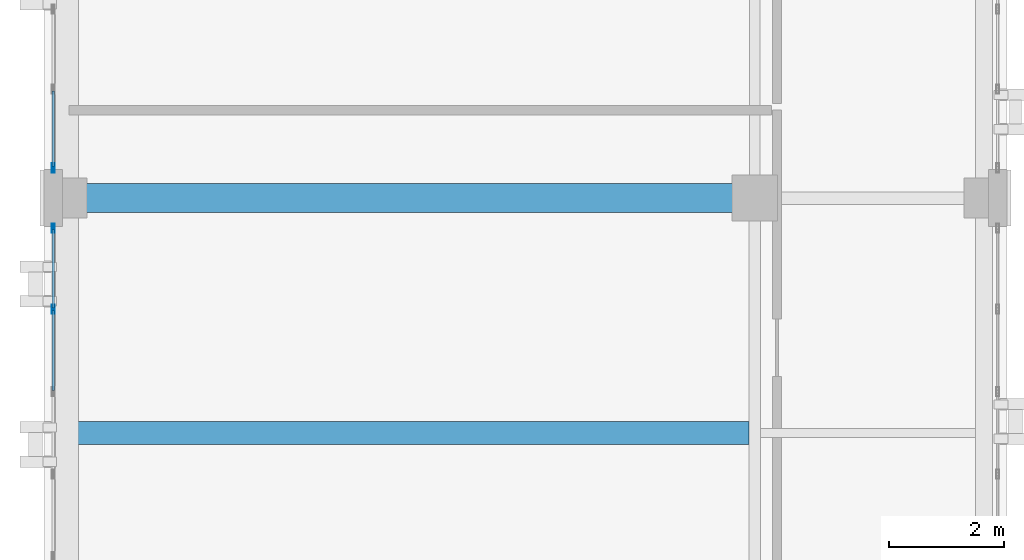
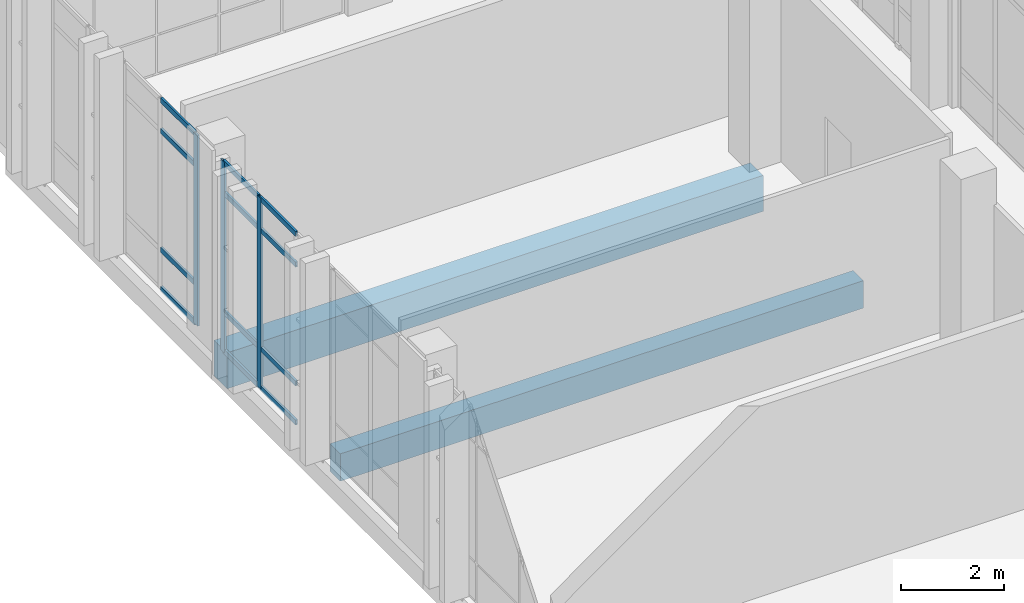
# One storey, part 75 of 189: 15 members, 2 beams, 2 elements without a shape of their own.
"""IFC4 building model written with IfcOpenShell, lengths in metres."""

from ifc_helpers import new_model, si_unit, direction, frame, origin, origin_2d, place, context, subcontext, project, spatial, rectangle, hollow_rectangle, extrude, material, layer, layer_set, material_profile, profile_set, type_object, element, aggregate, save


model = new_model("IFC4")

# Units and contexts
model_context = context("Model", 3, precision=1e-05, world=origin(), true_north=direction((0.0, 1.0)))
body_context = subcontext(model_context, "Body", "Model", "MODEL_VIEW")
ifc_project = project(units=[si_unit("LENGTHUNIT", "METRE"), si_unit("AREAUNIT", "SQUARE_METRE"), si_unit("VOLUMEUNIT", "CUBIC_METRE"), si_unit("PLANEANGLEUNIT", "RADIAN"), si_unit("MASSUNIT", "GRAM", prefix="KILO")], contexts=[model_context])

# Site, building, storey
site_placement = place(None, origin())
site = spatial("IfcSite", under=ifc_project, at=site_placement, CompositionType="ELEMENT")
building_placement = place(site_placement, origin())
building = spatial("IfcBuilding", under=site, at=building_placement, Name="Qalavern Law Courts", CompositionType="ELEMENT")
storey_placement = place(building_placement, frame((0.0, 0.0, 5.39990234375)))
storey = spatial("IfcBuildingStorey", under=building, at=storey_placement, Name="L01", CompositionType="ELEMENT", Elevation=5.39990234375)

# Curtain wall, member
ifc_material_1 = material(Name="Anodised aluminium and insulated glazing", Category="aluminium")
ifc_layer = layer(ifc_material_1, 0.172119140625)
ifc_layer_set = layer_set([ifc_layer], Name="Anodised aluminium and insulated glazing")
curtain_wall_type = type_object("IfcCurtainWallType", Name="ENV-CW-COURT", PredefinedType="USERDEFINED", material=ifc_layer_set)
curtain_wall_1_placement = place(storey_placement, origin())
curtain_wall_1 = element("IfcCurtainWall", 1, at=curtain_wall_1_placement, inside=storey, type_object=curtain_wall_type, Name="V3 unitised curtain wall L01 west 1", ObjectType="UNITISED CURTAIN WALL", PredefinedType="USERDEFINED")
ifc_material_2 = material(Name="Anodised aluminium", Category="aluminium")
ifc_material_profile_1 = material_profile(ifc_material_2, hollow_rectangle(XDim=0.048095703125, YDim=0.159912109375, WallThickness=0.00390625, at=origin_2d()), Name="ALU MULLION 48x160")
ifc_profile_set_1 = profile_set([ifc_material_profile_1], Name="Anodised aluminium")
member_type_1 = type_object("IfcMemberType", Name="ENV-CWM-48x160", PredefinedType="MULLION", material=ifc_profile_set_1)
member_1_placement = place(storey_placement, frame((2.16259765625, 88.1240234375, 0.0), z_axis=(0.0, 0.0, 1.0), x_axis=(1.0, 0.0, 0.0)))
member_1 = element("IfcMember", 2, at=member_1_placement, type_object=member_type_1, Name="CW-03 mullion 6", PredefinedType="MULLION", context=body_context, shape_type="SweptSolid", body=[
    extrude(hollow_rectangle(XDim=0.048095703125, YDim=0.159912109375, WallThickness=0.00390625, at=origin_2d()), origin(), (0.0, 0.0, 1.0), 4.510009765625),
])

# Curtain wall, members
curtain_wall_2_placement = place(storey_placement, origin())
curtain_wall_2 = element("IfcCurtainWall", 3, at=curtain_wall_2_placement, inside=storey, type_object=curtain_wall_type, Name="V3 unitised curtain wall L01 west 2", ObjectType="UNITISED CURTAIN WALL", PredefinedType="USERDEFINED")
member_2_placement = place(storey_placement, frame((2.16259765625, 87.075927734375, 0.0), z_axis=(0.0, 0.0, 1.0), x_axis=(1.0, 0.0, 0.0)))
member_2 = element("IfcMember", 4, at=member_2_placement, type_object=member_type_1, Name="CW-03 mullion 1", PredefinedType="MULLION", context=body_context, shape_type="SweptSolid", body=[
    extrude(hollow_rectangle(XDim=0.048095703125, YDim=0.159912109375, WallThickness=0.00390625, at=origin_2d()), origin(), (0.0, 0.0, 1.0), 4.510009765625),
])
member_3_placement = place(storey_placement, frame((2.16259765625, 85.659912109375, 0.0), z_axis=(0.0, 0.0, 1.0), x_axis=(1.0, 0.0, 0.0)))
member_3 = element("IfcMember", 5, at=member_3_placement, type_object=member_type_1, Name="CW-03 mullion 2", PredefinedType="MULLION", context=body_context, shape_type="SweptSolid", body=[
    extrude(hollow_rectangle(XDim=0.048095703125, YDim=0.159912109375, WallThickness=0.00390625, at=origin_2d()), origin(), (0.0, 0.0, 1.0), 4.510009765625),
])

# Member
ifc_material_profile_2 = material_profile(ifc_material_2, hollow_rectangle(XDim=0.048095703125, YDim=0.1201171875, WallThickness=0.00390625, at=origin_2d()), Name="ALU TRANSOM 48x120")
ifc_profile_set_2 = profile_set([ifc_material_profile_2], Name="Anodised aluminium")
member_type_2 = type_object("IfcMemberType", Name="ENV-CWT-48x120", PredefinedType="USERDEFINED", material=ifc_profile_set_2)
member_4_placement = place(storey_placement, frame((2.16259765625, 89.471923828125, 0.024169921875), z_axis=(0.0, -1.0, 0.0), x_axis=(1.0, 0.0, 0.0)))
member_4 = element("IfcMember", 6, at=member_4_placement, type_object=member_type_2, Name="CW-03 transom 5.1", ObjectType="TRANSOM", PredefinedType="USERDEFINED", context=body_context, shape_type="SweptSolid", body=[
    extrude(hollow_rectangle(XDim=0.048095703125, YDim=0.1201171875, WallThickness=0.00390625, at=origin_2d()), origin(), (0.0, 0.0, 1.0), 1.323974609375),
])

member_5_placement = place(storey_placement, frame((2.16259765625, 89.471923828125, 0.9501953125), z_axis=(0.0, -1.0, 0.0), x_axis=(1.0, 0.0, 0.0)))
member_5 = element("IfcMember", 7, at=member_5_placement, type_object=member_type_2, Name="CW-03 transom 5.2", ObjectType="TRANSOM", PredefinedType="USERDEFINED", context=body_context, shape_type="SweptSolid", body=[
    extrude(hollow_rectangle(XDim=0.048095703125, YDim=0.1201171875, WallThickness=0.00390625, at=origin_2d()), origin(), (0.0, 0.0, 1.0), 1.323974609375),
])

member_6_placement = place(storey_placement, frame((2.16259765625, 89.471923828125, 3.760009765625), z_axis=(0.0, -1.0, 0.0), x_axis=(1.0, 0.0, 0.0)))
member_6 = element("IfcMember", 8, at=member_6_placement, type_object=member_type_2, Name="CW-03 transom 5.3", ObjectType="TRANSOM", PredefinedType="USERDEFINED", context=body_context, shape_type="SweptSolid", body=[
    extrude(hollow_rectangle(XDim=0.048095703125, YDim=0.1201171875, WallThickness=0.00390625, at=origin_2d()), origin(), (0.0, 0.0, 1.0), 1.323974609375),
])

member_7_placement = place(storey_placement, frame((2.16259765625, 89.471923828125, 4.486083984375), z_axis=(0.0, -1.0, 0.0), x_axis=(1.0, 0.0, 0.0)))
member_7 = element("IfcMember", 9, at=member_7_placement, type_object=member_type_2, Name="CW-03 transom 5.4", ObjectType="TRANSOM", PredefinedType="USERDEFINED", context=body_context, shape_type="SweptSolid", body=[
    extrude(hollow_rectangle(XDim=0.048095703125, YDim=0.1201171875, WallThickness=0.00390625, at=origin_2d()), origin(), (0.0, 0.0, 1.0), 1.323974609375),
])

aggregate(curtain_wall_1, [member_1, member_4, member_5, member_6, member_7])

member_8_placement = place(storey_placement, frame((2.16259765625, 87.052001953125, 0.024169921875), z_axis=(0.0, -1.0, 0.0), x_axis=(1.0, 0.0, 0.0)))
member_8 = element("IfcMember", 10, at=member_8_placement, type_object=member_type_2, Name="CW-03 transom 1.1", ObjectType="TRANSOM", PredefinedType="USERDEFINED", context=body_context, shape_type="SweptSolid", body=[
    extrude(hollow_rectangle(XDim=0.048095703125, YDim=0.1201171875, WallThickness=0.00390625, at=origin_2d()), origin(), (0.0, 0.0, 1.0), 1.367919921875),
])

member_9_placement = place(storey_placement, frame((2.16259765625, 87.052001953125, 0.9501953125), z_axis=(0.0, -1.0, 0.0), x_axis=(1.0, 0.0, 0.0)))
member_9 = element("IfcMember", 11, at=member_9_placement, type_object=member_type_2, Name="CW-03 transom 1.2", ObjectType="TRANSOM", PredefinedType="USERDEFINED", context=body_context, shape_type="SweptSolid", body=[
    extrude(hollow_rectangle(XDim=0.048095703125, YDim=0.1201171875, WallThickness=0.00390625, at=origin_2d()), origin(), (0.0, 0.0, 1.0), 1.367919921875),
])

member_10_placement = place(storey_placement, frame((2.16259765625, 87.052001953125, 3.760009765625), z_axis=(0.0, -1.0, 0.0), x_axis=(1.0, 0.0, 0.0)))
member_10 = element("IfcMember", 12, at=member_10_placement, type_object=member_type_2, Name="CW-03 transom 1.3", ObjectType="TRANSOM", PredefinedType="USERDEFINED", context=body_context, shape_type="SweptSolid", body=[
    extrude(hollow_rectangle(XDim=0.048095703125, YDim=0.1201171875, WallThickness=0.00390625, at=origin_2d()), origin(), (0.0, 0.0, 1.0), 1.367919921875),
])

member_11_placement = place(storey_placement, frame((2.16259765625, 87.052001953125, 4.486083984375), z_axis=(0.0, -1.0, 0.0), x_axis=(1.0, 0.0, 0.0)))
member_11 = element("IfcMember", 13, at=member_11_placement, type_object=member_type_2, Name="CW-03 transom 1.4", ObjectType="TRANSOM", PredefinedType="USERDEFINED", context=body_context, shape_type="SweptSolid", body=[
    extrude(hollow_rectangle(XDim=0.048095703125, YDim=0.1201171875, WallThickness=0.00390625, at=origin_2d()), origin(), (0.0, 0.0, 1.0), 1.367919921875),
])

member_12_placement = place(storey_placement, frame((2.16259765625, 85.635986328125, 0.024169921875), z_axis=(0.0, -1.0, 0.0), x_axis=(1.0, 0.0, 0.0)))
member_12 = element("IfcMember", 14, at=member_12_placement, type_object=member_type_2, Name="CW-03 transom 2.1", ObjectType="TRANSOM", PredefinedType="USERDEFINED", context=body_context, shape_type="SweptSolid", body=[
    extrude(hollow_rectangle(XDim=0.048095703125, YDim=0.1201171875, WallThickness=0.00390625, at=origin_2d()), origin(), (0.0, 0.0, 1.0), 1.39208984375),
])

member_13_placement = place(storey_placement, frame((2.16259765625, 85.635986328125, 0.9501953125), z_axis=(0.0, -1.0, 0.0), x_axis=(1.0, 0.0, 0.0)))
member_13 = element("IfcMember", 15, at=member_13_placement, type_object=member_type_2, Name="CW-03 transom 2.2", ObjectType="TRANSOM", PredefinedType="USERDEFINED", context=body_context, shape_type="SweptSolid", body=[
    extrude(hollow_rectangle(XDim=0.048095703125, YDim=0.1201171875, WallThickness=0.00390625, at=origin_2d()), origin(), (0.0, 0.0, 1.0), 1.39208984375),
])

member_14_placement = place(storey_placement, frame((2.16259765625, 85.635986328125, 3.760009765625), z_axis=(0.0, -1.0, 0.0), x_axis=(1.0, 0.0, 0.0)))
member_14 = element("IfcMember", 16, at=member_14_placement, type_object=member_type_2, Name="CW-03 transom 2.3", ObjectType="TRANSOM", PredefinedType="USERDEFINED", context=body_context, shape_type="SweptSolid", body=[
    extrude(hollow_rectangle(XDim=0.048095703125, YDim=0.1201171875, WallThickness=0.00390625, at=origin_2d()), origin(), (0.0, 0.0, 1.0), 1.39208984375),
])

member_15_placement = place(storey_placement, frame((2.16259765625, 85.635986328125, 4.486083984375), z_axis=(0.0, -1.0, 0.0), x_axis=(1.0, 0.0, 0.0)))
member_15 = element("IfcMember", 17, at=member_15_placement, type_object=member_type_2, Name="CW-03 transom 2.4", ObjectType="TRANSOM", PredefinedType="USERDEFINED", context=body_context, shape_type="SweptSolid", body=[
    extrude(hollow_rectangle(XDim=0.048095703125, YDim=0.1201171875, WallThickness=0.00390625, at=origin_2d()), origin(), (0.0, 0.0, 1.0), 1.39208984375),
])

aggregate(curtain_wall_2, [member_2, member_3, member_8, member_9, member_10, member_11, member_12, member_13, member_14, member_15])

# Beams
ifc_material_3 = material(Name="Concrete C40/50", Category="concrete")
ifc_material_profile_3 = material_profile(ifc_material_3, rectangle(XDim=0.5, YDim=0.85009765625, at=origin_2d()), Name="RC 500x850")
ifc_profile_set_3 = profile_set([ifc_material_profile_3], Name="Concrete C40/50")
beam_type_1 = type_object("IfcBeamType", Name="STR-BM-RC500x850", PredefinedType="BEAM", material=ifc_profile_set_3)
beam_1_placement = place(storey_placement, frame((2.39990234375, 87.60009765625, -0.724853515625), z_axis=(1.0, 0.0, 0.0), x_axis=(0.0, 1.0, 0.0)))
element("IfcBeam", 18, at=beam_1_placement, inside=storey, type_object=beam_type_1, Name="V3 X-beam 7-1 L01", PredefinedType="BEAM", context=body_context, shape_type="SweptSolid", body=[
    extrude(rectangle(XDim=0.5, YDim=0.85009765625, at=origin_2d()), origin(), (0.0, 0.0, 1.0), 12.0),
])
ifc_material_4 = material(Name="Concrete C35/45", Category="concrete")
ifc_material_profile_4 = material_profile(ifc_material_4, rectangle(XDim=0.39990234375, YDim=0.64990234375, at=origin_2d()), Name="RC 400x650")
ifc_profile_set_4 = profile_set([ifc_material_profile_4], Name="Concrete C35/45")
beam_type_2 = type_object("IfcBeamType", Name="STR-JST-RC400x650", PredefinedType="JOIST", material=ifc_profile_set_4)
beam_2_placement = place(storey_placement, frame((2.597900390625, 83.5, -0.625), z_axis=(1.0, 0.0, 0.0), x_axis=(0.0, 1.0, 0.0)))
element("IfcBeam", 19, at=beam_2_placement, inside=storey, type_object=beam_type_2, Name="V3 secondary joist 1.6.1 L01", PredefinedType="JOIST", context=body_context, shape_type="SweptSolid", body=[
    extrude(rectangle(XDim=0.39990234375, YDim=0.64990234375, at=origin_2d()), origin(), (0.0, 0.0, 1.0), 11.7041015625),
])

save(model, "model.ifc")
